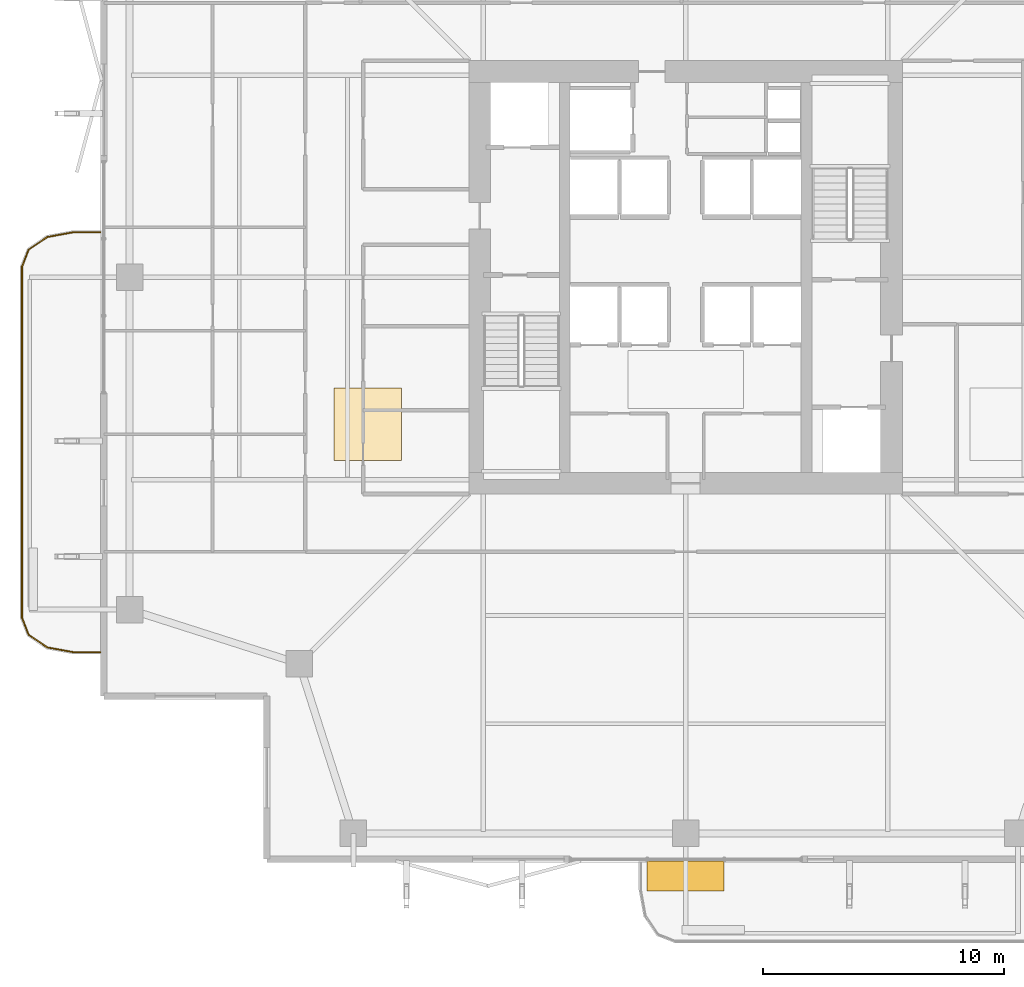
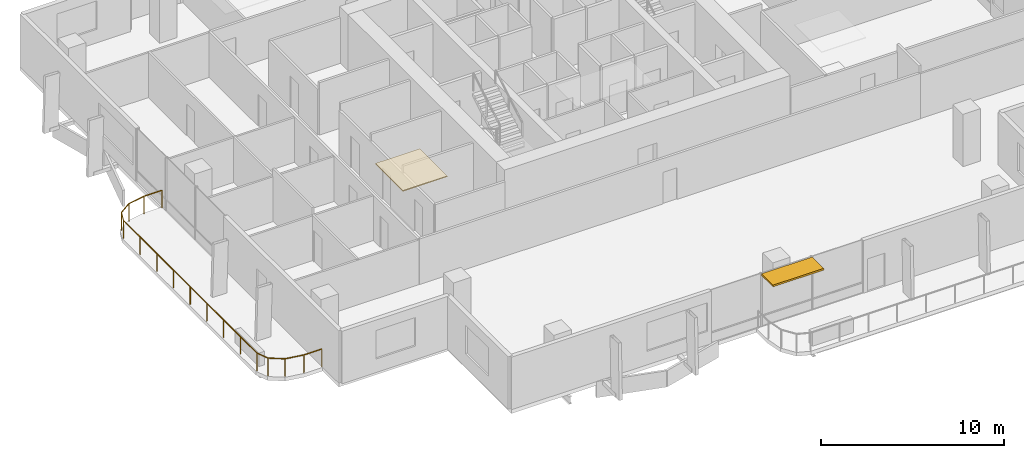
# One storey, part 22 of 25: 1 covering, 1 railing, 1 shading device.
"""IFC4 building model written with IfcOpenShell, lengths in metres."""

import ifcopenshell
import ifcopenshell.guid

model = None  # the IFC model being written
_history = None  # IfcOwnerHistory: only IFC2X3 demands one
_inside = {}  # id of a spatial element -> (the spatial element, [elements in it])
_under = {}  # id of a project, library or spatial element -> (it, [spatial elements below it])
_declared = {}  # id of a project -> (the project, [libraries it declares])
_typed = {}  # id of a type object -> (the type object, [elements of that type])
_made_of = {}  # id of a material, layer set ... -> (it, [elements and type objects made of it])


def new_model(schema):
    """Start an empty IFC model of exactly this schema.

    Asked for "IFC4X3", IfcOpenShell would pick the latest addendum, in which some entities
    have other attributes; the version numbers below select the first issue.
    IFC2X3 requires an IfcOwnerHistory on every rooted entity: one is made here for all.
    """
    global model, _history
    if schema == "IFC4X3":
        model = ifcopenshell.file(schema_version=(4, 3, 0, 0))
    else:
        model = ifcopenshell.file(schema=schema)
    _inside.clear()
    _under.clear()
    _declared.clear()
    _typed.clear()
    _made_of.clear()
    _history = None
    if model.schema == "IFC2X3":
        org = make("IfcOrganization", Name="unknown")
        user = make(
            "IfcPersonAndOrganization",
            ThePerson=make("IfcPerson", FamilyName="unknown"),
            TheOrganization=org,
        )
        app = make(
            "IfcApplication",
            ApplicationDeveloper=org,
            Version="unknown",
            ApplicationFullName="unknown",
            ApplicationIdentifier="unknown",
        )
        _history = make(
            "IfcOwnerHistory",
            OwningUser=user,
            OwningApplication=app,
            ChangeAction="ADDED",
            CreationDate=0,
        )
    return model


def make(cls, **values):
    """One entity of the class cls with the attributes given. An attribute that is None is left unset."""
    return model.create_entity(
        cls, **{name: value for name, value in values.items() if value is not None}
    )


def rooted(cls, **values):
    """An entity with a GlobalId (a new one), such as an element, a storey or a relation."""
    return make(cls, GlobalId=ifcopenshell.guid.new(), OwnerHistory=_history, **values)


def si_unit(unit_type, name, prefix=None):
    """IfcSIUnit, for example si_unit("LENGTHUNIT", "METRE", prefix="MILLI")."""
    return make("IfcSIUnit", UnitType=unit_type, Prefix=prefix, Name=name)


def assignment(units):
    """IfcUnitAssignment: the units of a project."""
    return None if units is None else make("IfcUnitAssignment", Units=units)


def point(xyz):
    """IfcCartesianPoint."""
    return None if xyz is None else make("IfcCartesianPoint", Coordinates=xyz)


def direction(xyz):
    """IfcDirection."""
    return None if xyz is None else make("IfcDirection", DirectionRatios=xyz)


def frame(location, z_axis=None, x_axis=None):
    """IfcAxis2Placement3D, a coordinate frame: its origin and axes. An axis left out is left unset."""
    return make(
        "IfcAxis2Placement3D",
        Location=point(location),
        Axis=direction(z_axis),
        RefDirection=direction(x_axis),
    )


def frame_2d(location, x_axis=None):
    """IfcAxis2Placement2D, a coordinate frame in the plane: its origin and x axis."""
    return make(
        "IfcAxis2Placement2D", Location=point(location), RefDirection=direction(x_axis)
    )


def origin():
    """The frame at (0, 0, 0) with its axes left unset."""
    return frame((0.0, 0.0, 0.0))


def origin_2d():
    """The frame at (0, 0) in the plane with its x axis left unset."""
    return frame_2d((0.0, 0.0))


def place(relative_to, where):
    """IfcLocalPlacement: puts the frame where relative to a parent placement (None: the world)."""
    return make(
        "IfcLocalPlacement", PlacementRelTo=relative_to, RelativePlacement=where
    )


def context(
    kind, dimensions, precision=None, world=None, true_north=None, identifier=None
):
    """IfcGeometricRepresentationContext, for example the 3D "Model" context."""
    return make(
        "IfcGeometricRepresentationContext",
        ContextIdentifier=identifier,
        ContextType=kind,
        CoordinateSpaceDimension=dimensions,
        Precision=precision,
        WorldCoordinateSystem=world,
        TrueNorth=true_north,
    )


def subcontext(parent, identifier, kind, view, scale=None):
    """IfcGeometricRepresentationSubContext, for example "Body" below "Model"."""
    return make(
        "IfcGeometricRepresentationSubContext",
        ContextIdentifier=identifier,
        ContextType=kind,
        ParentContext=parent,
        TargetScale=scale,
        TargetView=view,
    )


def project(units=None, contexts=None):
    """IfcProject with its units and contexts."""
    return rooted(
        "IfcProject",
        Name="project",
        RepresentationContexts=contexts,
        UnitsInContext=assignment(units),
    )


def spatial(cls, under=None, at=None, **own):
    """A site, building, storey or space (cls), placed at a placement, below another one or the project."""
    s = rooted(cls, ObjectPlacement=at, **own)
    if under is not None:
        _under.setdefault(under.id(), (under, []))[1].append(s)
    return s


def polyline(points):
    """IfcPolyline through the points."""
    return make("IfcPolyline", Points=[point(p) for p in points])


def profile(cls, at=None, kind="AREA", **sizes):
    """A parametric profile (cls). Its sizes go by their IFC names, for example OverallWidth=200.0."""
    return make(cls, ProfileType=kind, Position=at, **sizes)


def rectangle(**sizes):
    """IfcRectangleProfileDef."""
    return profile("IfcRectangleProfileDef", **sizes)


def outline(outer, holes=None, kind="AREA"):
    """IfcArbitraryClosedProfileDef: a profile drawn as a closed curve; with holes, ...WithVoids."""
    if holes is None:
        return make("IfcArbitraryClosedProfileDef", ProfileType=kind, OuterCurve=outer)
    return make(
        "IfcArbitraryProfileDefWithVoids",
        ProfileType=kind,
        OuterCurve=outer,
        InnerCurves=holes,
    )


def extrude(swept, where, along, depth):
    """IfcExtrudedAreaSolid: the profile swept, set in the frame where, extruded along a direction by depth."""
    return make(
        "IfcExtrudedAreaSolid",
        SweptArea=swept,
        Position=where,
        ExtrudedDirection=direction(along),
        Depth=depth,
    )


def shape(context_of_items, identifier, shape_type, items):
    """IfcShapeRepresentation: the items that make up one representation, for example the "Body"."""
    return make(
        "IfcShapeRepresentation",
        ContextOfItems=context_of_items,
        RepresentationIdentifier=identifier,
        RepresentationType=shape_type,
        Items=items,
    )


def material(Name=None, Category=None):
    """IfcMaterial."""
    return make("IfcMaterial", Name=Name, Category=Category)


def layer(
    of_material, thickness, ventilated=None, Name=None, Category=None, Priority=None
):
    """IfcMaterialLayer: one layer of a wall or slab, of a material (None: an air gap)."""
    return make(
        "IfcMaterialLayer",
        Material=of_material,
        LayerThickness=thickness,
        IsVentilated=ventilated,
        Name=Name,
        Category=Category,
        Priority=Priority,
    )


def layer_set(layers, Name=None):
    """IfcMaterialLayerSet."""
    return make("IfcMaterialLayerSet", MaterialLayers=layers, LayerSetName=Name)


def made_of(thing, what):
    """Note that an element or type object is made of a material, layer set ...; save() writes the relation."""
    if what is not None:
        _made_of.setdefault(what.id(), (what, []))[1].append(thing)
    return thing


def type_object(cls, material=None, **own):
    """A type object (cls), such as IfcWallType, which elements share."""
    return made_of(rooted(cls, **own), material)


def element(
    cls,
    number,
    at=None,
    inside=None,
    cuts=None,
    type_object=None,
    material=None,
    context=None,
    identifier="Body",
    shape_type=None,
    held_by="IfcProductDefinitionShape",
    body=None,
    shapes=None,
    **own,
):
    """One element of the class cls, such as IfcWall. Its Tag is "e" and its number.

    at: its placement. inside: the storey or other place that contains it. cuts: it is an
    opening in that element (IfcRelVoidsElement). A single representation is given by context,
    identifier, shape_type and body (its items); several are given by shapes. held_by: the class
    of the entity that holds the representations. save() writes the other relations.
    """
    e = rooted(cls, Tag="e%d" % number, ObjectPlacement=at, **own)
    if body is not None:
        shapes = [shape(context, identifier, shape_type, body)]
    if shapes is not None:
        e.Representation = make(held_by, Representations=shapes)
    if inside is not None:
        _inside.setdefault(inside.id(), (inside, []))[1].append(e)
    if cuts is not None:
        rooted(
            "IfcRelVoidsElement", RelatingBuildingElement=cuts, RelatedOpeningElement=e
        )
    if type_object is not None:
        _typed.setdefault(type_object.id(), (type_object, []))[1].append(e)
    return made_of(e, material)


def aggregate(whole, parts):
    """IfcRelAggregates: a whole, such as a stair, and the parts it consists of."""
    return rooted("IfcRelAggregates", RelatingObject=whole, RelatedObjects=parts)


def save(model, path):
    """Write the relations noted so far, then the file.

    IfcRelAggregates (storeys below a building ...), IfcRelContainedInSpatialStructure (elements
    in a storey), IfcRelDefinesByType, IfcRelAssociatesMaterial and IfcRelDeclares: one each for
    every whole, place, type object, material and project.
    """
    for whole, parts in _under.values():
        aggregate(whole, parts)
    for where, things in _inside.values():
        rooted(
            "IfcRelContainedInSpatialStructure",
            RelatedElements=things,
            RelatingStructure=where,
        )
    for kind, things in _typed.values():
        rooted("IfcRelDefinesByType", RelatedObjects=things, RelatingType=kind)
    for what, things in _made_of.values():
        rooted("IfcRelAssociatesMaterial", RelatedObjects=things, RelatingMaterial=what)
    for by, libraries in _declared.values():
        rooted("IfcRelDeclares", RelatingContext=by, RelatedDefinitions=libraries)
    model.write(path)


model = new_model("IFC4")

# Units and contexts
model_context = context("Model", 3, precision=1e-05, world=origin(), true_north=direction((0.0, 1.0)))
body_context = subcontext(model_context, "Body", "Model", "MODEL_VIEW")
ifc_project = project(units=[si_unit("LENGTHUNIT", "METRE"), si_unit("AREAUNIT", "SQUARE_METRE"), si_unit("VOLUMEUNIT", "CUBIC_METRE"), si_unit("PLANEANGLEUNIT", "RADIAN"), si_unit("MASSUNIT", "GRAM", prefix="KILO")], contexts=[model_context])

# Site, building, storey
site_placement = place(None, origin())
site = spatial("IfcSite", under=ifc_project, at=site_placement, CompositionType="ELEMENT")
building_placement = place(site_placement, origin())
building = spatial("IfcBuilding", under=site, at=building_placement, Name="Belovzor Exchange Tower", CompositionType="ELEMENT")
storey_placement = place(building_placement, frame((0.0, 0.0, 153.300048828125)))
storey = spatial("IfcBuildingStorey", under=building, at=storey_placement, Name="L37", CompositionType="ELEMENT", Elevation=153.300048828125)

# Railing
ifc_material_1 = material(Name="Stainless Steel and Laminated Safety Glass", Category="steel")
railing_type = type_object("IfcRailingType", Name="Laminated Glass & Stainless Steel Balcony Balustrade 1200", PredefinedType="BALUSTRADE", material=ifc_material_1)
railing_placement = place(storey_placement, frame((4.489990234375, 30.669921875, 0.0)))
element("IfcRailing", 1, at=railing_placement, inside=storey, type_object=railing_type, Name="GR-1 Balcony Balustrade L37 West", PredefinedType="BALUSTRADE", context=body_context, shape_type="SweptSolid", body=[
    extrude(rectangle(XDim=0.048095703125, YDim=0.048095703125, at=origin_2d()), frame((0.0, 0.0, 1.17578125), z_axis=(-1.0, 0.0, 0.0), x_axis=(0.0, -1.0, 0.0)), (0.0, 0.0, 1.0), 1.133056640625),
    extrude(rectangle(XDim=0.048095703125, YDim=0.048095703125, at=origin_2d()), frame((-1.133056640625, 0.0, 1.17578125), z_axis=(-0.983644145941, -0.180122719713, 0.0), x_axis=(0.180122719713, -0.983644145941, 0.0)), (0.0, 0.0, 1.0), 1.09375),
    extrude(rectangle(XDim=0.048095703125, YDim=0.048095703125, at=origin_2d()), frame((-2.208984375, -0.197021484375, 1.17578125), z_axis=(-0.826614792125, -0.562768145367, 0.0), x_axis=(0.562768145367, -0.826614792125, 0.0)), (0.0, 0.0, 1.0), 0.9326171875),
    extrude(rectangle(XDim=0.048095703125, YDim=0.048095703125, at=origin_2d()), frame((-2.97998046875, -0.721923828125, 1.17578125), z_axis=(-0.365612923861, -0.930766990125, 0.0), x_axis=(0.930766990125, -0.365612923861, 0.0)), (0.0, 0.0, 1.0), 0.765869140625),
    extrude(rectangle(XDim=0.048095703125, YDim=0.048095703125, at=origin_2d()), frame((-3.260009765625, -1.434814453125, 1.17578125), z_axis=(0.0, -1.0, 0.0), x_axis=(1.0, 0.0, 0.0)), (0.0, 0.0, 1.0), 14.570068359375),
    extrude(rectangle(XDim=0.048095703125, YDim=0.048095703125, at=origin_2d()), frame((-3.260009765625, -16.0048828125, 1.17578125), z_axis=(0.365504480807, -0.930809580156, 0.0), x_axis=(0.930809580156, 0.365504480807, 0.0)), (0.0, 0.0, 1.0), 0.76611328125),
    extrude(rectangle(XDim=0.048095703125, YDim=0.048095703125, at=origin_2d()), frame((-2.97998046875, -16.718017578125, 1.17578125), z_axis=(0.826614792125, -0.562768145367, 0.0), x_axis=(0.562768145367, 0.826614792125, 0.0)), (0.0, 0.0, 1.0), 0.9326171875),
    extrude(rectangle(XDim=0.048095703125, YDim=0.048095703125, at=origin_2d()), frame((-2.208984375, -17.242919921875, 1.17578125), z_axis=(0.983644145941, -0.180122719713, 0.0), x_axis=(0.180122719713, 0.983644145941, 0.0)), (0.0, 0.0, 1.0), 1.09375),
    extrude(rectangle(XDim=0.048095703125, YDim=0.048095703125, at=origin_2d()), frame((-1.133056640625, -17.43994140625, 1.17578125), z_axis=(1.0, 0.0, 0.0), x_axis=(0.0, 1.0, 0.0)), (0.0, 0.0, 1.0), 1.133056640625),
    extrude(rectangle(XDim=0.0419921875, YDim=0.0419921875, at=origin_2d()), origin(), (0.0, 0.0, 1.0), 1.15185546875),
    extrude(rectangle(XDim=0.0419921875, YDim=0.0419921875, at=origin_2d()), frame((-1.133056640625, 0.0, 0.0)), (0.0, 0.0, 1.0), 1.15185546875),
    extrude(rectangle(XDim=0.0419921875, YDim=0.0419921875, at=origin_2d()), frame((-2.208984375, -0.197021484375, 0.0)), (0.0, 0.0, 1.0), 1.15185546875),
    extrude(rectangle(XDim=0.0419921875, YDim=0.0419921875, at=origin_2d()), frame((-2.97998046875, -0.721923828125, 0.0)), (0.0, 0.0, 1.0), 1.15185546875),
    extrude(rectangle(XDim=0.0419921875, YDim=0.0419921875, at=origin_2d()), frame((-3.260009765625, -1.434814453125, 0.0)), (0.0, 0.0, 1.0), 1.15185546875),
    extrude(rectangle(XDim=0.0419921875, YDim=0.0419921875, at=origin_2d()), frame((-3.260009765625, -3.256103515625, 0.0)), (0.0, 0.0, 1.0), 1.15185546875),
    extrude(rectangle(XDim=0.0419921875, YDim=0.0419921875, at=origin_2d()), frame((-3.260009765625, -5.077392578125, 0.0)), (0.0, 0.0, 1.0), 1.15185546875),
    extrude(rectangle(XDim=0.0419921875, YDim=0.0419921875, at=origin_2d()), frame((-3.260009765625, -6.898681640625, 0.0)), (0.0, 0.0, 1.0), 1.15185546875),
    extrude(rectangle(XDim=0.0419921875, YDim=0.0419921875, at=origin_2d()), frame((-3.260009765625, -8.7197265625, 0.0)), (0.0, 0.0, 1.0), 1.15185546875),
    extrude(rectangle(XDim=0.0419921875, YDim=0.0419921875, at=origin_2d()), frame((-3.260009765625, -10.541015625, 0.0)), (0.0, 0.0, 1.0), 1.15185546875),
    extrude(rectangle(XDim=0.0419921875, YDim=0.0419921875, at=origin_2d()), frame((-3.260009765625, -12.3623046875, 0.0)), (0.0, 0.0, 1.0), 1.15185546875),
    extrude(rectangle(XDim=0.0419921875, YDim=0.0419921875, at=origin_2d()), frame((-3.260009765625, -14.18359375, 0.0)), (0.0, 0.0, 1.0), 1.15185546875),
    extrude(rectangle(XDim=0.0419921875, YDim=0.0419921875, at=origin_2d()), frame((-3.260009765625, -16.0048828125, 0.0)), (0.0, 0.0, 1.0), 1.15185546875),
    extrude(rectangle(XDim=0.0419921875, YDim=0.0419921875, at=origin_2d()), frame((-2.97998046875, -16.718017578125, 0.0)), (0.0, 0.0, 1.0), 1.15185546875),
    extrude(rectangle(XDim=0.0419921875, YDim=0.0419921875, at=origin_2d()), frame((-2.208984375, -17.242919921875, 0.0)), (0.0, 0.0, 1.0), 1.15185546875),
    extrude(rectangle(XDim=0.0419921875, YDim=0.0419921875, at=origin_2d()), frame((-1.133056640625, -17.43994140625, 0.0)), (0.0, 0.0, 1.0), 1.15185546875),
    extrude(rectangle(XDim=0.0419921875, YDim=0.0419921875, at=origin_2d()), frame((0.0, -17.43994140625, 0.0)), (0.0, 0.0, 1.0), 1.15185546875),
])

# Covering
ifc_material_2 = material(Name="Perforated Powder-Coated Aluminium", Category="aluminium")
ifc_layer_1 = layer(ifc_material_2, 0.06005859375)
ifc_layer_set_1 = layer_set([ifc_layer_1], Name="Perforated Powder-Coated Aluminium")
covering_type = type_object("IfcCoveringType", Name="Perforated Acoustic Metal Tile Suspended Ceiling 60", PredefinedType="CEILING", material=ifc_layer_set_1)
covering_placement = place(storey_placement, frame((0.0, 0.0, 3.43505859375)))
element("IfcCovering", 2, at=covering_placement, inside=storey, type_object=covering_type, Name="CLG-AC60 Suspended Ceiling CLG-L37-Z3", PredefinedType="CEILING", context=body_context, shape_type="SweptSolid", body=[
    extrude(outline(polyline([(14.199951171875, 21.199951171875), (17.0, 21.199951171875), (17.0, 24.199951171875), (14.199951171875, 24.199951171875), (14.199951171875, 21.199951171875)])), origin(), (0.0, 0.0, 1.0), 0.059814453125),
])

# Shading device
ifc_material_3 = material(Name="Extruded Architectural Terracotta", Category="masonry")
ifc_layer_2 = layer(ifc_material_3, 0.1201171875)
ifc_layer_set_2 = layer_set([ifc_layer_2], Name="Extruded Architectural Terracotta")
shading_device_type = type_object("IfcShadingDeviceType", Name="Streamline Terracotta Horizontal Sunshade Hood 1250", PredefinedType="AWNING", material=ifc_layer_set_2)
shading_device_placement = place(storey_placement, frame((28.800048828125, 3.93505859375, 3.375), z_axis=(0.0, 0.0, 1.0), x_axis=(1.0, 0.0, 0.0)))
element("IfcShadingDevice", 3, at=shading_device_placement, inside=storey, type_object=shading_device_type, Name="SHD-TC125 Terracotta Sunshade L37 S", PredefinedType="AWNING", context=body_context, shape_type="SweptSolid", body=[
    extrude(rectangle(XDim=3.199951171875, YDim=1.25, at=origin_2d()), origin(), (0.0, 0.0, 1.0), 0.1201171875),
])

save(model, "model.ifc")
